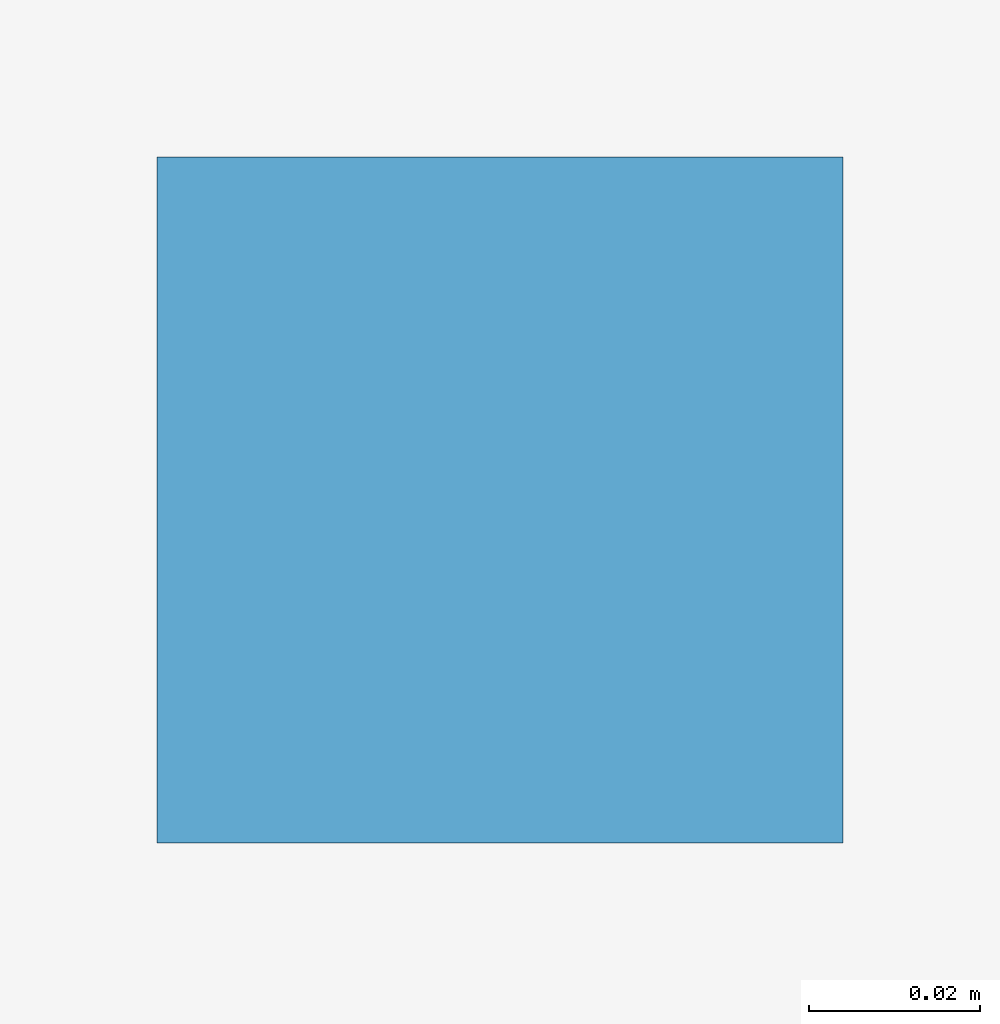
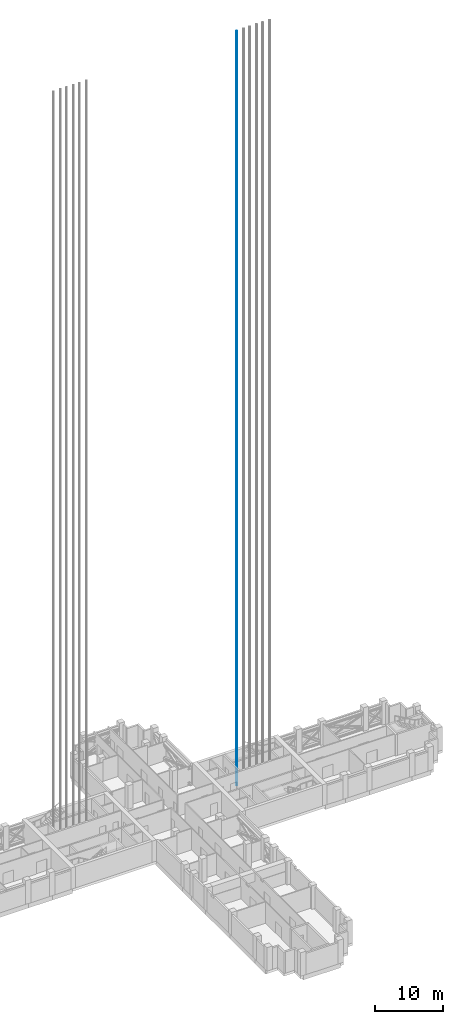
# One storey, part 16 of 22: 1 discrete accessory.
"""IFC4 building model written with IfcOpenShell, lengths in metres."""

import ifcopenshell
import ifcopenshell.guid

model = None  # the IFC model being written
_history = None  # IfcOwnerHistory: only IFC2X3 demands one
_inside = {}  # id of a spatial element -> (the spatial element, [elements in it])
_under = {}  # id of a project, library or spatial element -> (it, [spatial elements below it])
_declared = {}  # id of a project -> (the project, [libraries it declares])
_typed = {}  # id of a type object -> (the type object, [elements of that type])
_made_of = {}  # id of a material, layer set ... -> (it, [elements and type objects made of it])


def new_model(schema):
    """Start an empty IFC model of exactly this schema.

    Asked for "IFC4X3", IfcOpenShell would pick the latest addendum, in which some entities
    have other attributes; the version numbers below select the first issue.
    IFC2X3 requires an IfcOwnerHistory on every rooted entity: one is made here for all.
    """
    global model, _history
    if schema == "IFC4X3":
        model = ifcopenshell.file(schema_version=(4, 3, 0, 0))
    else:
        model = ifcopenshell.file(schema=schema)
    _inside.clear()
    _under.clear()
    _declared.clear()
    _typed.clear()
    _made_of.clear()
    _history = None
    if model.schema == "IFC2X3":
        org = make("IfcOrganization", Name="unknown")
        user = make(
            "IfcPersonAndOrganization",
            ThePerson=make("IfcPerson", FamilyName="unknown"),
            TheOrganization=org,
        )
        app = make(
            "IfcApplication",
            ApplicationDeveloper=org,
            Version="unknown",
            ApplicationFullName="unknown",
            ApplicationIdentifier="unknown",
        )
        _history = make(
            "IfcOwnerHistory",
            OwningUser=user,
            OwningApplication=app,
            ChangeAction="ADDED",
            CreationDate=0,
        )
    return model


def make(cls, **values):
    """One entity of the class cls with the attributes given. An attribute that is None is left unset."""
    return model.create_entity(
        cls, **{name: value for name, value in values.items() if value is not None}
    )


def rooted(cls, **values):
    """An entity with a GlobalId (a new one), such as an element, a storey or a relation."""
    return make(cls, GlobalId=ifcopenshell.guid.new(), OwnerHistory=_history, **values)


def si_unit(unit_type, name, prefix=None):
    """IfcSIUnit, for example si_unit("LENGTHUNIT", "METRE", prefix="MILLI")."""
    return make("IfcSIUnit", UnitType=unit_type, Prefix=prefix, Name=name)


def assignment(units):
    """IfcUnitAssignment: the units of a project."""
    return None if units is None else make("IfcUnitAssignment", Units=units)


def point(xyz):
    """IfcCartesianPoint."""
    return None if xyz is None else make("IfcCartesianPoint", Coordinates=xyz)


def direction(xyz):
    """IfcDirection."""
    return None if xyz is None else make("IfcDirection", DirectionRatios=xyz)


def frame(location, z_axis=None, x_axis=None):
    """IfcAxis2Placement3D, a coordinate frame: its origin and axes. An axis left out is left unset."""
    return make(
        "IfcAxis2Placement3D",
        Location=point(location),
        Axis=direction(z_axis),
        RefDirection=direction(x_axis),
    )


def frame_2d(location, x_axis=None):
    """IfcAxis2Placement2D, a coordinate frame in the plane: its origin and x axis."""
    return make(
        "IfcAxis2Placement2D", Location=point(location), RefDirection=direction(x_axis)
    )


def origin():
    """The frame at (0, 0, 0) with its axes left unset."""
    return frame((0.0, 0.0, 0.0))


def origin_2d():
    """The frame at (0, 0) in the plane with its x axis left unset."""
    return frame_2d((0.0, 0.0))


def place(relative_to, where):
    """IfcLocalPlacement: puts the frame where relative to a parent placement (None: the world)."""
    return make(
        "IfcLocalPlacement", PlacementRelTo=relative_to, RelativePlacement=where
    )


def context(
    kind, dimensions, precision=None, world=None, true_north=None, identifier=None
):
    """IfcGeometricRepresentationContext, for example the 3D "Model" context."""
    return make(
        "IfcGeometricRepresentationContext",
        ContextIdentifier=identifier,
        ContextType=kind,
        CoordinateSpaceDimension=dimensions,
        Precision=precision,
        WorldCoordinateSystem=world,
        TrueNorth=true_north,
    )


def subcontext(parent, identifier, kind, view, scale=None):
    """IfcGeometricRepresentationSubContext, for example "Body" below "Model"."""
    return make(
        "IfcGeometricRepresentationSubContext",
        ContextIdentifier=identifier,
        ContextType=kind,
        ParentContext=parent,
        TargetScale=scale,
        TargetView=view,
    )


def project(units=None, contexts=None):
    """IfcProject with its units and contexts."""
    return rooted(
        "IfcProject",
        Name="project",
        RepresentationContexts=contexts,
        UnitsInContext=assignment(units),
    )


def spatial(cls, under=None, at=None, **own):
    """A site, building, storey or space (cls), placed at a placement, below another one or the project."""
    s = rooted(cls, ObjectPlacement=at, **own)
    if under is not None:
        _under.setdefault(under.id(), (under, []))[1].append(s)
    return s


def profile(cls, at=None, kind="AREA", **sizes):
    """A parametric profile (cls). Its sizes go by their IFC names, for example OverallWidth=200.0."""
    return make(cls, ProfileType=kind, Position=at, **sizes)


def rectangle(**sizes):
    """IfcRectangleProfileDef."""
    return profile("IfcRectangleProfileDef", **sizes)


def extrude(swept, where, along, depth):
    """IfcExtrudedAreaSolid: the profile swept, set in the frame where, extruded along a direction by depth."""
    return make(
        "IfcExtrudedAreaSolid",
        SweptArea=swept,
        Position=where,
        ExtrudedDirection=direction(along),
        Depth=depth,
    )


def shape(context_of_items, identifier, shape_type, items):
    """IfcShapeRepresentation: the items that make up one representation, for example the "Body"."""
    return make(
        "IfcShapeRepresentation",
        ContextOfItems=context_of_items,
        RepresentationIdentifier=identifier,
        RepresentationType=shape_type,
        Items=items,
    )


def material(Name=None, Category=None):
    """IfcMaterial."""
    return make("IfcMaterial", Name=Name, Category=Category)


def made_of(thing, what):
    """Note that an element or type object is made of a material, layer set ...; save() writes the relation."""
    if what is not None:
        _made_of.setdefault(what.id(), (what, []))[1].append(thing)
    return thing


def element(
    cls,
    number,
    at=None,
    inside=None,
    cuts=None,
    type_object=None,
    material=None,
    context=None,
    identifier="Body",
    shape_type=None,
    held_by="IfcProductDefinitionShape",
    body=None,
    shapes=None,
    **own,
):
    """One element of the class cls, such as IfcWall. Its Tag is "e" and its number.

    at: its placement. inside: the storey or other place that contains it. cuts: it is an
    opening in that element (IfcRelVoidsElement). A single representation is given by context,
    identifier, shape_type and body (its items); several are given by shapes. held_by: the class
    of the entity that holds the representations. save() writes the other relations.
    """
    e = rooted(cls, Tag="e%d" % number, ObjectPlacement=at, **own)
    if body is not None:
        shapes = [shape(context, identifier, shape_type, body)]
    if shapes is not None:
        e.Representation = make(held_by, Representations=shapes)
    if inside is not None:
        _inside.setdefault(inside.id(), (inside, []))[1].append(e)
    if cuts is not None:
        rooted(
            "IfcRelVoidsElement", RelatingBuildingElement=cuts, RelatedOpeningElement=e
        )
    if type_object is not None:
        _typed.setdefault(type_object.id(), (type_object, []))[1].append(e)
    return made_of(e, material)


def aggregate(whole, parts):
    """IfcRelAggregates: a whole, such as a stair, and the parts it consists of."""
    return rooted("IfcRelAggregates", RelatingObject=whole, RelatedObjects=parts)


def save(model, path):
    """Write the relations noted so far, then the file.

    IfcRelAggregates (storeys below a building ...), IfcRelContainedInSpatialStructure (elements
    in a storey), IfcRelDefinesByType, IfcRelAssociatesMaterial and IfcRelDeclares: one each for
    every whole, place, type object, material and project.
    """
    for whole, parts in _under.values():
        aggregate(whole, parts)
    for where, things in _inside.values():
        rooted(
            "IfcRelContainedInSpatialStructure",
            RelatedElements=things,
            RelatingStructure=where,
        )
    for kind, things in _typed.values():
        rooted("IfcRelDefinesByType", RelatedObjects=things, RelatingType=kind)
    for what, things in _made_of.values():
        rooted("IfcRelAssociatesMaterial", RelatedObjects=things, RelatingMaterial=what)
    for by, libraries in _declared.values():
        rooted("IfcRelDeclares", RelatingContext=by, RelatedDefinitions=libraries)
    model.write(path)


model = new_model("IFC4")

# Units and contexts
model_context = context("Model", 3, precision=1e-05, world=origin(), true_north=direction((0.0, 1.0)))
body_context = subcontext(model_context, "Body", "Model", "MODEL_VIEW")
ifc_project = project(units=[si_unit("LENGTHUNIT", "METRE"), si_unit("AREAUNIT", "SQUARE_METRE"), si_unit("VOLUMEUNIT", "CUBIC_METRE"), si_unit("PLANEANGLEUNIT", "RADIAN"), si_unit("MASSUNIT", "GRAM", prefix="KILO")], contexts=[model_context])

# Site, building, storey
site_placement = place(None, origin())
site = spatial("IfcSite", under=ifc_project, at=site_placement, CompositionType="ELEMENT")
building_placement = place(site_placement, origin())
building = spatial("IfcBuilding", under=site, at=building_placement, Name="Fustian Cross Tower", CompositionType="ELEMENT")
storey_placement = place(building_placement, frame((0.0, 0.0, 111.89990234375)))
storey = spatial("IfcBuildingStorey", under=building, at=storey_placement, Name="L35", CompositionType="ELEMENT", Elevation=111.89990234375)

# Discrete accessory
ifc_material = material(Name="Steel S355", Category="steel")
discrete_accessory_placement = place(storey_placement, frame((12.675048828125, 3.7099609375, 0.0), z_axis=(0.0, 0.0, 1.0), x_axis=(1.0, 0.0, 0.0)))
element("IfcDiscreteAccessory", 1, at=discrete_accessory_placement, inside=storey, material=ifc_material, Name="Lift guide rail HR1 1", PredefinedType="NOTDEFINED", context=body_context, shape_type="SweptSolid", body=[
    extrude(rectangle(XDim=0.080078125, YDim=0.080078125, at=origin_2d()), origin(), (0.0, 0.0, 1.0), 134.60009765625),
])

save(model, "model.ifc")
